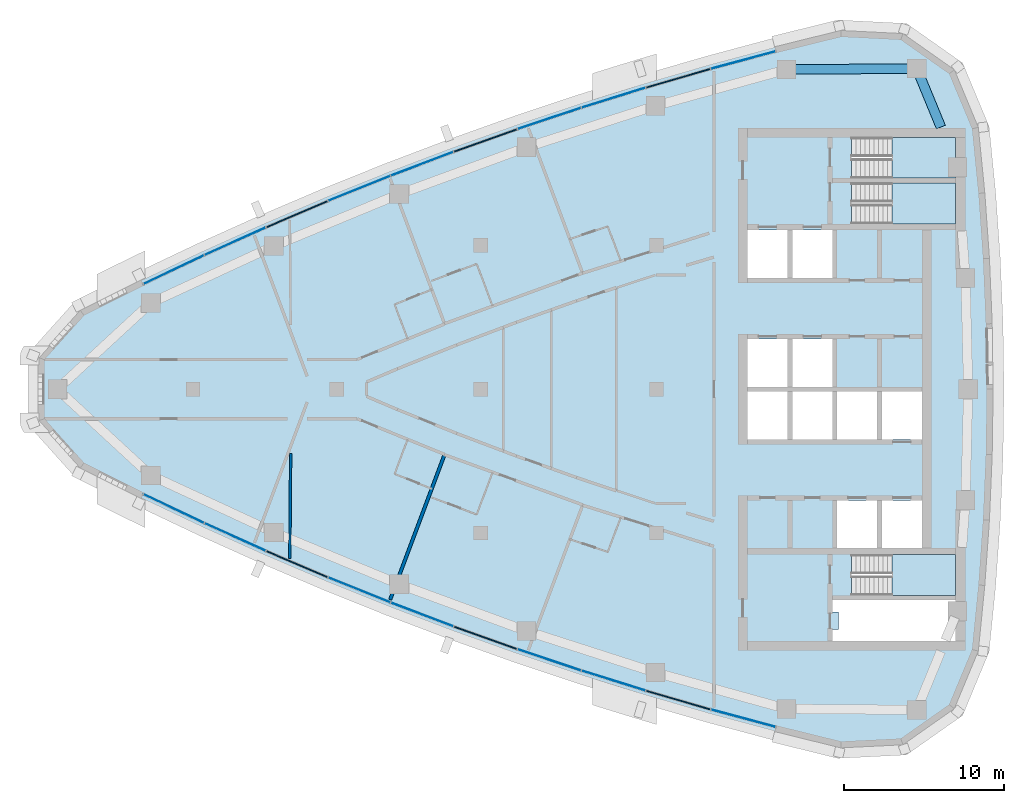
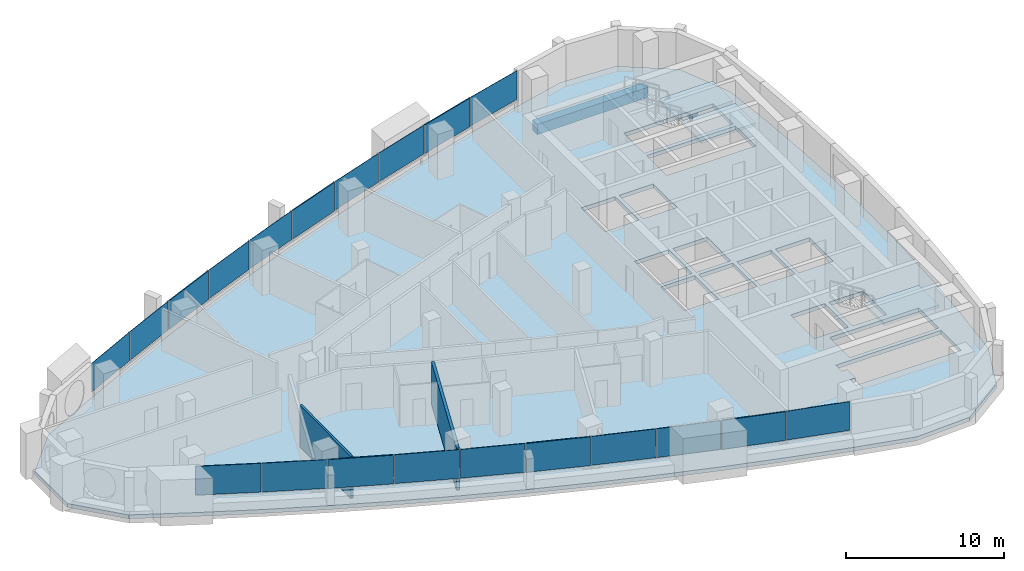
# One storey, part 7 of 15: 20 plates, 4 slabs, 2 beams, 2 walls, 1 opening, 13 elements without a shape of their own.
"""IFC4 building model written with IfcOpenShell, lengths in metres."""

from ifc_helpers import new_model, si_unit, direction, frame, frame_2d, origin, origin_2d, place, context, subcontext, project, spatial, polyline, rectangle, outline, extrude, material, layer, layer_set, material_profile, profile_set, type_object, element, aggregate, save


model = new_model("IFC4")

# Units and contexts
model_context = context("Model", 3, precision=1e-05, world=origin(), true_north=direction((0.0, 1.0)))
body_context = subcontext(model_context, "Body", "Model", "MODEL_VIEW")
ifc_project = project(units=[si_unit("LENGTHUNIT", "METRE"), si_unit("AREAUNIT", "SQUARE_METRE"), si_unit("VOLUMEUNIT", "CUBIC_METRE"), si_unit("PLANEANGLEUNIT", "RADIAN"), si_unit("MASSUNIT", "GRAM", prefix="KILO")], contexts=[model_context])

# Site, building, storey
site_placement = place(None, origin())
site = spatial("IfcSite", under=ifc_project, at=site_placement, CompositionType="ELEMENT")
building_placement = place(site_placement, origin())
building = spatial("IfcBuilding", under=site, at=building_placement, Name="Ostrand Prow Hotel Tower", CompositionType="ELEMENT")
storey_placement = place(building_placement, frame((0.0, 0.0, 238.550048828125)))
storey = spatial("IfcBuildingStorey", under=building, at=storey_placement, Name="L60", CompositionType="ELEMENT", Elevation=238.550048828125)

# Beams
ifc_material_1 = material(Name="Concrete C50/60", Category="concrete")
ifc_material_profile = material_profile(ifc_material_1, rectangle(XDim=0.60009765625, YDim=0.800048828125, at=origin_2d()), Name="RC 600x800")
ifc_profile_set = profile_set([ifc_material_profile], Name="Concrete C50/60")
beam_type = type_object("IfcBeamType", Name="Edge beam 600x800 C50/60", PredefinedType="SPANDREL", material=ifc_profile_set)
beam_1_placement = place(storey_placement, frame((62.7919921875, 16.39990234375, -0.699951171875), z_axis=(-0.380777709221, 0.924666608114, 0.0), x_axis=(-0.924666608114, -0.380777709221, 0.0)))
element("IfcBeam", 1, at=beam_1_placement, inside=storey, type_object=beam_type, Name="Edge beam B5-NE", PredefinedType="SPANDREL", context=body_context, shape_type="SweptSolid", body=[
    extrude(rectangle(XDim=0.60009765625, YDim=0.800048828125, at=origin_2d()), origin(), (0.0, 0.0, 1.0), 3.96044921875),
])
beam_2_placement = place(storey_placement, frame((61.283935546875, 20.06201171875, -0.699951171875), z_axis=(-0.999970657582, -0.007660546678, 0.0), x_axis=(0.007660546678, -0.999970657582, 0.0)))
element("IfcBeam", 2, at=beam_2_placement, inside=storey, type_object=beam_type, Name="Edge beam NE-N1", PredefinedType="SPANDREL", context=body_context, shape_type="SweptSolid", body=[
    extrude(rectangle(XDim=0.60009765625, YDim=0.800048828125, at=origin_2d()), origin(), (0.0, 0.0, 1.0), 8.15869140625),
])

# Curtain wall, plates
ifc_material_2 = material(Name="Insulated glass in bronze anodised frame", Category="glass")
ifc_layer_1 = layer(ifc_material_2, 0.199951171875)
ifc_layer_set_1 = layer_set([ifc_layer_1], Name="Insulated glass in bronze anodised frame")
curtain_wall_type = type_object("IfcCurtainWallType", Name="Strip curtain wall, fritted glass over bronze spandrel", PredefinedType="NOTDEFINED", material=ifc_layer_set_1)
curtain_wall_1_placement = place(storey_placement, origin())
curtain_wall_1 = element("IfcCurtainWall", 3, at=curtain_wall_1_placement, inside=storey, type_object=curtain_wall_type, Name="CW1 run CWS1", PredefinedType="NOTDEFINED")
ifc_material_3 = material(Name="Ceramic-fritted glass", Category="glass")
ifc_layer_2 = layer(ifc_material_3, 0.031982421875)
ifc_layer_set_2 = layer_set([ifc_layer_2], Name="Ceramic-fritted glass")
plate_type_1 = type_object("IfcPlateType", Name="Dot-fritted ceramic glass unit 32 mm", PredefinedType="CURTAIN_PANEL", material=ifc_layer_set_2)
plate_1_placement = place(storey_placement, frame((14.801025390625, -7.4765625, 1.02001953125), z_axis=(0.0, 0.0, 1.0), x_axis=(0.903370475577, -0.428861030937, 0.0)))
plate_1 = element("IfcPlate", 4, at=plate_1_placement, type_object=plate_type_1, Name="CW1 PN-D panel 1.2", PredefinedType="CURTAIN_PANEL", context=body_context, shape_type="SweptSolid", body=[
    extrude(rectangle(XDim=4.163818359375, YDim=0.031982421875, at=origin_2d()), origin(), (0.0, 0.0, 1.0), 2.22998046875),
])
plate_2_placement = place(storey_placement, frame((18.634521484375, -9.249267578125, 1.02001953125), z_axis=(0.0, 0.0, 1.0), x_axis=(0.911823681514, -0.41058199404, 0.0)))
plate_2 = element("IfcPlate", 5, at=plate_2_placement, type_object=plate_type_1, Name="CW1 PN-D panel 2.2", PredefinedType="CURTAIN_PANEL", context=body_context, shape_type="SweptSolid", body=[
    extrude(rectangle(XDim=4.163818359375, YDim=0.031982421875, at=origin_2d()), origin(), (0.0, 0.0, 1.0), 2.22998046875),
])
aggregate(curtain_wall_1, [plate_1, plate_2])

# Curtain wall, plate
curtain_wall_2_placement = place(storey_placement, origin())
curtain_wall_2 = element("IfcCurtainWall", 6, at=curtain_wall_2_placement, inside=storey, type_object=curtain_wall_type, Name="CW1 run CWS2", PredefinedType="NOTDEFINED")
plate_3_placement = place(storey_placement, frame((26.404541015625, -12.5615234375, 1.02001953125), z_axis=(0.0, 0.0, 1.0), x_axis=(0.927616710972, -0.373533449004, 0.0)))
plate_3 = element("IfcPlate", 7, at=plate_3_placement, type_object=plate_type_1, Name="CW1 PN-D panel 2.2", PredefinedType="CURTAIN_PANEL", context=body_context, shape_type="SweptSolid", body=[
    extrude(rectangle(XDim=4.163818359375, YDim=0.031982421875, at=origin_2d()), origin(), (0.0, 0.0, 1.0), 2.22998046875),
])

curtain_wall_3_placement = place(storey_placement, origin())
curtain_wall_3 = element("IfcCurtainWall", 8, at=curtain_wall_3_placement, inside=storey, type_object=curtain_wall_type, Name="CW1 run CWS3", PredefinedType="NOTDEFINED")
plate_4_placement = place(storey_placement, frame((30.337890625, -14.099609375, 1.02001953125), z_axis=(0.0, 0.0, 1.0), x_axis=(0.934950813567, -0.354777361469, 0.0)))
plate_4 = element("IfcPlate", 9, at=plate_4_placement, type_object=plate_type_1, Name="CW1 PN-D panel 1.2", PredefinedType="CURTAIN_PANEL", context=body_context, shape_type="SweptSolid", body=[
    extrude(rectangle(XDim=4.163818359375, YDim=0.031982421875, at=origin_2d()), origin(), (0.0, 0.0, 1.0), 2.22998046875),
])

# Curtain wall, plates
curtain_wall_4_placement = place(storey_placement, origin())
curtain_wall_4 = element("IfcCurtainWall", 10, at=curtain_wall_4_placement, inside=storey, type_object=curtain_wall_type, Name="CW1 run CWS4", PredefinedType="NOTDEFINED")
plate_5_placement = place(storey_placement, frame((38.2939453125, -16.9365234375, 1.02001953125), z_axis=(0.0, 0.0, 1.0), x_axis=(0.948478606268, -0.31684118017, 0.0)))
plate_5 = element("IfcPlate", 11, at=plate_5_placement, type_object=plate_type_1, Name="CW1 PN-D panel 1.2", PredefinedType="CURTAIN_PANEL", context=body_context, shape_type="SweptSolid", body=[
    extrude(rectangle(XDim=4.163818359375, YDim=0.031982421875, at=origin_2d()), origin(), (0.0, 0.0, 1.0), 2.22998046875),
])
plate_6_placement = place(storey_placement, frame((42.31298828125, -18.234375, 1.02001953125), z_axis=(0.0, 0.0, 1.0), x_axis=(0.95466629023, -0.297678138765, 0.0)))
plate_6 = element("IfcPlate", 12, at=plate_6_placement, type_object=plate_type_1, Name="CW1 PN-D panel 2.2", PredefinedType="CURTAIN_PANEL", context=body_context, shape_type="SweptSolid", body=[
    extrude(rectangle(XDim=4.163818359375, YDim=0.031982421875, at=origin_2d()), origin(), (0.0, 0.0, 1.0), 2.22998046875),
])
aggregate(curtain_wall_4, [plate_5, plate_6])

# Curtain wall, plate
curtain_wall_5_placement = place(storey_placement, origin())
curtain_wall_5 = element("IfcCurtainWall", 13, at=curtain_wall_5_placement, inside=storey, type_object=curtain_wall_type, Name="CW1 run CWS5", PredefinedType="NOTDEFINED")
plate_7_placement = place(storey_placement, frame((50.42578125, -20.5859375, 1.02001953125), z_axis=(0.0, 0.0, 1.0), x_axis=(0.965878831034, -0.258994370132, 0.0)))
plate_7 = element("IfcPlate", 14, at=plate_7_placement, type_object=plate_type_1, Name="CW1 PN-D panel 2.2", PredefinedType="CURTAIN_PANEL", context=body_context, shape_type="SweptSolid", body=[
    extrude(rectangle(XDim=4.163818359375, YDim=0.031982421875, at=origin_2d()), origin(), (0.0, 0.0, 1.0), 2.22998046875),
])

curtain_wall_6_placement = place(storey_placement, origin())
curtain_wall_6 = element("IfcCurtainWall", 15, at=curtain_wall_6_placement, inside=storey, type_object=curtain_wall_type, Name="CW1 run CWN1", PredefinedType="NOTDEFINED")
plate_8_placement = place(storey_placement, frame((50.42578125, 20.5859375, 1.02001953125), z_axis=(0.0, 0.0, 1.0), x_axis=(-0.965878831034, -0.258994370132, 0.0)))
plate_8 = element("IfcPlate", 16, at=plate_8_placement, type_object=plate_type_1, Name="CW1 PN-D panel 1.2", PredefinedType="CURTAIN_PANEL", context=body_context, shape_type="SweptSolid", body=[
    extrude(rectangle(XDim=4.163818359375, YDim=0.031982421875, at=origin_2d()), origin(), (0.0, 0.0, 1.0), 2.22998046875),
])

# Curtain wall, plates
curtain_wall_7_placement = place(storey_placement, origin())
curtain_wall_7 = element("IfcCurtainWall", 17, at=curtain_wall_7_placement, inside=storey, type_object=curtain_wall_type, Name="CW1 run CWN2", PredefinedType="NOTDEFINED")
plate_9_placement = place(storey_placement, frame((42.31298828125, 18.234375, 1.02001953125), z_axis=(0.0, 0.0, 1.0), x_axis=(-0.95466629023, -0.297678138765, 0.0)))
plate_9 = element("IfcPlate", 18, at=plate_9_placement, type_object=plate_type_1, Name="CW1 PN-D panel 1.2", PredefinedType="CURTAIN_PANEL", context=body_context, shape_type="SweptSolid", body=[
    extrude(rectangle(XDim=4.163818359375, YDim=0.031982421875, at=origin_2d()), origin(), (0.0, 0.0, 1.0), 2.22998046875),
])
plate_10_placement = place(storey_placement, frame((38.2939453125, 16.9365234375, 1.02001953125), z_axis=(0.0, 0.0, 1.0), x_axis=(-0.948478606268, -0.31684118017, 0.0)))
plate_10 = element("IfcPlate", 19, at=plate_10_placement, type_object=plate_type_1, Name="CW1 PN-D panel 2.2", PredefinedType="CURTAIN_PANEL", context=body_context, shape_type="SweptSolid", body=[
    extrude(rectangle(XDim=4.163818359375, YDim=0.031982421875, at=origin_2d()), origin(), (0.0, 0.0, 1.0), 2.22998046875),
])
aggregate(curtain_wall_7, [plate_9, plate_10])

# Curtain wall, plate
curtain_wall_8_placement = place(storey_placement, origin())
curtain_wall_8 = element("IfcCurtainWall", 20, at=curtain_wall_8_placement, inside=storey, type_object=curtain_wall_type, Name="CW1 run CWN3", PredefinedType="NOTDEFINED")
plate_11_placement = place(storey_placement, frame((30.337890625, 14.099609375, 1.02001953125), z_axis=(0.0, 0.0, 1.0), x_axis=(-0.934950813567, -0.354777361469, 0.0)))
plate_11 = element("IfcPlate", 21, at=plate_11_placement, type_object=plate_type_1, Name="CW1 PN-D panel 2.2", PredefinedType="CURTAIN_PANEL", context=body_context, shape_type="SweptSolid", body=[
    extrude(rectangle(XDim=4.163818359375, YDim=0.031982421875, at=origin_2d()), origin(), (0.0, 0.0, 1.0), 2.22998046875),
])

curtain_wall_9_placement = place(storey_placement, origin())
curtain_wall_9 = element("IfcCurtainWall", 22, at=curtain_wall_9_placement, inside=storey, type_object=curtain_wall_type, Name="CW1 run CWN4", PredefinedType="NOTDEFINED")
plate_12_placement = place(storey_placement, frame((26.404541015625, 12.5615234375, 1.02001953125), z_axis=(0.0, 0.0, 1.0), x_axis=(-0.927616710972, -0.373533449004, 0.0)))
plate_12 = element("IfcPlate", 23, at=plate_12_placement, type_object=plate_type_1, Name="CW1 PN-D panel 1.2", PredefinedType="CURTAIN_PANEL", context=body_context, shape_type="SweptSolid", body=[
    extrude(rectangle(XDim=4.163818359375, YDim=0.031982421875, at=origin_2d()), origin(), (0.0, 0.0, 1.0), 2.22998046875),
])

# Curtain wall, plates
curtain_wall_10_placement = place(storey_placement, origin())
curtain_wall_10 = element("IfcCurtainWall", 24, at=curtain_wall_10_placement, inside=storey, type_object=curtain_wall_type, Name="CW1 run CWN5", PredefinedType="NOTDEFINED")
plate_13_placement = place(storey_placement, frame((18.634521484375, 9.249267578125, 1.02001953125), z_axis=(0.0, 0.0, 1.0), x_axis=(-0.911823681514, -0.41058199404, 0.0)))
plate_13 = element("IfcPlate", 25, at=plate_13_placement, type_object=plate_type_1, Name="CW1 PN-D panel 1.2", PredefinedType="CURTAIN_PANEL", context=body_context, shape_type="SweptSolid", body=[
    extrude(rectangle(XDim=4.163818359375, YDim=0.031982421875, at=origin_2d()), origin(), (0.0, 0.0, 1.0), 2.22998046875),
])
plate_14_placement = place(storey_placement, frame((14.801025390625, 7.4765625, 1.02001953125), z_axis=(0.0, 0.0, 1.0), x_axis=(-0.903370475577, -0.428861030937, 0.0)))
plate_14 = element("IfcPlate", 26, at=plate_14_placement, type_object=plate_type_1, Name="CW1 PN-D panel 2.2", PredefinedType="CURTAIN_PANEL", context=body_context, shape_type="SweptSolid", body=[
    extrude(rectangle(XDim=4.163818359375, YDim=0.031982421875, at=origin_2d()), origin(), (0.0, 0.0, 1.0), 2.22998046875),
])
aggregate(curtain_wall_10, [plate_13, plate_14])

# Plate
ifc_material_4 = material(Name="Fritted glass in bronze vent frame", Category="glass")
ifc_layer_3 = layer(ifc_material_4, 0.080078125)
ifc_layer_set_3 = layer_set([ifc_layer_3], Name="Fritted glass in bronze vent frame")
plate_type_2 = type_object("IfcPlateType", Name="Operable vent panel 80 mm", PredefinedType="CURTAIN_PANEL", material=ifc_layer_set_3)
plate_15_placement = place(storey_placement, frame((22.502685546875, -10.944580078125, 1.02001953125), z_axis=(0.0, 0.0, 1.0), x_axis=(0.919907070112, -0.392136433347, 0.0)))
plate_15 = element("IfcPlate", 27, at=plate_15_placement, type_object=plate_type_2, Name="CW1 PN-O2 panel 1.2", PredefinedType="CURTAIN_PANEL", context=body_context, shape_type="SweptSolid", body=[
    extrude(rectangle(XDim=4.163818359375, YDim=0.080078125, at=origin_2d()), origin(), (0.0, 0.0, 1.0), 2.22998046875),
])

aggregate(curtain_wall_2, [plate_15, plate_3])

plate_16_placement = place(storey_placement, frame((34.3017578125, -15.55810546875, 1.02001953125), z_axis=(0.0, 0.0, 1.0), x_axis=(0.941905718922, -0.335877383374, 0.0)))
plate_16 = element("IfcPlate", 28, at=plate_16_placement, type_object=plate_type_2, Name="CW1 PN-O2 panel 2.2", PredefinedType="CURTAIN_PANEL", context=body_context, shape_type="SweptSolid", body=[
    extrude(rectangle(XDim=4.163818359375, YDim=0.080078125, at=origin_2d()), origin(), (0.0, 0.0, 1.0), 2.22998046875),
])

aggregate(curtain_wall_3, [plate_4, plate_16])

plate_17_placement = place(storey_placement, frame((46.357666015625, -19.450927734375, 1.02001953125), z_axis=(0.0, 0.0, 1.0), x_axis=(0.960467333745, -0.27839270969, 0.0)))
plate_17 = element("IfcPlate", 29, at=plate_17_placement, type_object=plate_type_2, Name="CW1 PN-O2 panel 1.2", PredefinedType="CURTAIN_PANEL", context=body_context, shape_type="SweptSolid", body=[
    extrude(rectangle(XDim=4.163818359375, YDim=0.080078125, at=origin_2d()), origin(), (0.0, 0.0, 1.0), 2.22998046875),
])

aggregate(curtain_wall_5, [plate_17, plate_7])

plate_18_placement = place(storey_placement, frame((46.357666015625, 19.450927734375, 1.02001953125), z_axis=(0.0, 0.0, 1.0), x_axis=(-0.960467333745, -0.27839270969, 0.0)))
plate_18 = element("IfcPlate", 30, at=plate_18_placement, type_object=plate_type_2, Name="CW1 PN-O2 panel 2.2", PredefinedType="CURTAIN_PANEL", context=body_context, shape_type="SweptSolid", body=[
    extrude(rectangle(XDim=4.163818359375, YDim=0.080078125, at=origin_2d()), origin(), (0.0, 0.0, 1.0), 2.22998046875),
])

aggregate(curtain_wall_6, [plate_8, plate_18])

plate_19_placement = place(storey_placement, frame((34.3017578125, 15.55810546875, 1.02001953125), z_axis=(0.0, 0.0, 1.0), x_axis=(-0.941905718922, -0.335877383374, 0.0)))
plate_19 = element("IfcPlate", 31, at=plate_19_placement, type_object=plate_type_2, Name="CW1 PN-O2 panel 1.2", PredefinedType="CURTAIN_PANEL", context=body_context, shape_type="SweptSolid", body=[
    extrude(rectangle(XDim=4.163818359375, YDim=0.080078125, at=origin_2d()), origin(), (0.0, 0.0, 1.0), 2.22998046875),
])

aggregate(curtain_wall_8, [plate_19, plate_11])

plate_20_placement = place(storey_placement, frame((22.502685546875, 10.944580078125, 1.02001953125), z_axis=(0.0, 0.0, 1.0), x_axis=(-0.919907070112, -0.392136433347, 0.0)))
plate_20 = element("IfcPlate", 32, at=plate_20_placement, type_object=plate_type_2, Name="CW1 PN-O2 panel 2.2", PredefinedType="CURTAIN_PANEL", context=body_context, shape_type="SweptSolid", body=[
    extrude(rectangle(XDim=4.163818359375, YDim=0.080078125, at=origin_2d()), origin(), (0.0, 0.0, 1.0), 2.22998046875),
])

aggregate(curtain_wall_9, [plate_12, plate_20])

# Slab, opening
ifc_material_5 = material(Name="Concrete C40/50", Category="concrete")
ifc_layer_4 = layer(ifc_material_5, 0.300048828125)
ifc_layer_set_4 = layer_set([ifc_layer_4], Name="Concrete C40/50")
slab_type_1 = type_object("IfcSlabType", Name="PT flat plate 300 C40/50", PredefinedType="FLOOR", material=ifc_layer_set_4)
slab_1_placement = place(storey_placement, frame((0.0, 0.0, -0.300048828125)))
slab_1 = element("IfcSlab", 33, at=slab_1_placement, inside=storey, type_object=slab_type_1, Name="Floor slab L60-1", PredefinedType="FLOOR", context=body_context, shape_type="SweptSolid", body=[
    extrude(outline(polyline([(8.85205078125, 5.097412109375), (12.679443359375, 7.009765625), (16.50390625, 8.825439453125), (20.364013671875, 10.563720703125), (24.258544921875, 12.223876953125), (28.185791015625, 13.80517578125), (32.143798828125, 15.30712890625), (36.131591796875, 16.72900390625), (40.14697265625, 18.0703125), (44.188720703125, 19.330810546875), (48.2548828125, 20.50927734375), (52.343994140625, 21.605712890625), (56.4873046875, 22.627685546875), (60.48193359375, 22.4287109375), (63.7822265625, 20.107177734375), (65.320068359375, 16.414794921875), (65.728515625, 12.29736328125), (66.018310546875, 8.20361328125), (66.19189453125, 4.103515625), (66.25, 0.0), (66.19189453125, -4.103515625), (66.018310546875, -8.20361328125), (65.728515625, -12.29736328125), (65.320068359375, -16.414794921875), (63.7822265625, -20.107177734375), (60.48193359375, -22.4287109375), (56.4873046875, -22.627685546875), (52.343994140625, -21.605712890625), (48.2548828125, -20.50927734375), (44.188720703125, -19.330810546875), (40.14697265625, -18.0703125), (36.131591796875, -16.72900390625), (32.143798828125, -15.30712890625), (28.185791015625, -13.80517578125), (24.258544921875, -12.223876953125), (20.364013671875, -10.563720703125), (16.50390625, -8.825439453125), (12.679443359375, -7.009765625), (8.85205078125, -5.097412109375), (6.127685546875, -2.06298828125), (6.127685546875, 2.06298828125), (8.85205078125, 5.097412109375)]), holes=[polyline([(50.699951171875, 6.949951171875), (53.199951171875, 6.949951171875), (53.199951171875, 9.949951171875), (50.699951171875, 9.949951171875), (50.699951171875, 6.949951171875)]), polyline([(53.5, 6.949951171875), (56.0, 6.949951171875), (56.0, 9.949951171875), (53.5, 9.949951171875), (53.5, 6.949951171875)]), polyline([(50.699951171875, 0.14990234375), (53.199951171875, 0.14990234375), (53.199951171875, 3.14990234375), (50.699951171875, 3.14990234375), (50.699951171875, 0.14990234375)]), polyline([(53.5, 0.14990234375), (56.0, 0.14990234375), (56.0, 3.14990234375), (53.5, 3.14990234375), (53.5, 0.14990234375)]), polyline([(50.699951171875, -3.14990234375), (53.199951171875, -3.14990234375), (53.199951171875, -0.14990234375), (50.699951171875, -0.14990234375), (50.699951171875, -3.14990234375)]), polyline([(53.5, -3.14990234375), (56.0, -3.14990234375), (56.0, -0.14990234375), (53.5, -0.14990234375), (53.5, -3.14990234375)]), polyline([(56.300048828125, -3.14990234375), (58.800048828125, -3.14990234375), (58.800048828125, -0.14990234375), (56.300048828125, -0.14990234375), (56.300048828125, -3.14990234375)]), polyline([(59.10009765625, -3.14990234375), (61.60009765625, -3.14990234375), (61.60009765625, -0.14990234375), (59.10009765625, -0.14990234375), (59.10009765625, -3.14990234375)]), polyline([(56.300048828125, -9.949951171875), (58.800048828125, -9.949951171875), (58.800048828125, -6.949951171875), (56.300048828125, -6.949951171875), (56.300048828125, -9.949951171875)]), polyline([(59.10009765625, -9.949951171875), (61.60009765625, -9.949951171875), (61.60009765625, -6.949951171875), (59.10009765625, -6.949951171875), (59.10009765625, -9.949951171875)]), polyline([(57.200927734375, 10.35107421875), (57.200927734375, 12.89892578125), (63.718994140625, 12.89892578125), (63.718994140625, 10.35107421875), (57.200927734375, 10.35107421875)]), polyline([(57.200927734375, 13.200927734375), (57.200927734375, 15.7490234375), (63.718994140625, 15.7490234375), (63.718994140625, 13.200927734375), (57.200927734375, 13.200927734375)]), polyline([(57.200927734375, -12.89892578125), (57.200927734375, -10.35107421875), (63.718994140625, -10.35107421875), (63.718994140625, -12.89892578125), (57.200927734375, -12.89892578125)]), polyline([(56.0, -13.949951171875), (56.0, -13.199951171875), (63.719970703125, -13.199951171875), (63.719970703125, -15.75), (56.0, -15.75), (56.0, -15.050048828125), (56.39990234375, -15.050048828125), (56.39990234375, -13.949951171875), (56.0, -13.949951171875)])]), origin(), (0.0, 0.0, 1.0), 0.300048828125),
])
opening_placement = place(slab_1_placement, origin())
element("IfcOpeningElement", 34, at=opening_placement, cuts=slab_1, Name="Shaft opening 1", PredefinedType="OPENING", context=body_context, shape_type="SweptSolid", body=[
    extrude(outline(polyline([(56.0, -13.949951171875), (56.0, -13.199951171875), (63.719970703125, -13.199951171875), (63.719970703125, -15.75), (56.0, -15.75), (56.0, -15.050048828125), (56.39990234375, -15.050048828125), (56.39990234375, -13.949951171875), (56.0, -13.949951171875)])), origin(), (0.0, 0.0, 1.0), 0.300048828125),
])

# Stair, slab
ifc_material_6 = material(Name="Concrete C40/50", Category="concrete")
stair_type = type_object("IfcStairType", Name="Exit stair 1200 upper zone", PredefinedType="HALF_TURN_STAIR", material=ifc_material_6)
stair_1_placement = place(storey_placement, origin())
stair_1 = element("IfcStair", 35, at=stair_1_placement, inside=storey, type_object=stair_type, Name="L60 ST1C", PredefinedType="HALF_TURN_STAIR")
ifc_material_7 = material(Name="Concrete C40/50", Category="concrete")
ifc_layer_5 = layer(ifc_material_7, 0.199951171875)
ifc_layer_set_5 = layer_set([ifc_layer_5], Name="Concrete C40/50")
slab_type_2 = type_object("IfcSlabType", Name="Stair landing 200 concrete", PredefinedType="LANDING", material=ifc_layer_set_5)
slab_2_placement = place(storey_placement, frame((0.0, 0.0, 1.574951171875)))
slab_2 = element("IfcSlab", 36, at=slab_2_placement, type_object=slab_type_2, Name="ST1C landing 1", PredefinedType="LANDING", context=body_context, shape_type="SweptSolid", body=[
    extrude(outline(polyline([(59.719970703125, 10.35009765625), (63.719970703125, 10.35009765625), (63.719970703125, 12.89990234375), (59.719970703125, 12.89990234375), (59.719970703125, 10.35009765625)])), origin(), (0.0, 0.0, 1.0), 0.199951171875),
])
aggregate(stair_1, [slab_2])

stair_2_placement = place(storey_placement, origin())
stair_2 = element("IfcStair", 37, at=stair_2_placement, inside=storey, type_object=stair_type, Name="L60 ST3C", PredefinedType="HALF_TURN_STAIR")
slab_3_placement = place(storey_placement, frame((0.0, 0.0, 1.574951171875)))
slab_3 = element("IfcSlab", 38, at=slab_3_placement, type_object=slab_type_2, Name="ST3C landing 1", PredefinedType="LANDING", context=body_context, shape_type="SweptSolid", body=[
    extrude(outline(polyline([(59.719970703125, 13.199951171875), (63.719970703125, 13.199951171875), (63.719970703125, 15.75), (59.719970703125, 15.75), (59.719970703125, 13.199951171875)])), origin(), (0.0, 0.0, 1.0), 0.199951171875),
])
aggregate(stair_2, [slab_3])

stair_3_placement = place(storey_placement, origin())
stair_3 = element("IfcStair", 39, at=stair_3_placement, inside=storey, type_object=stair_type, Name="L60 ST2C", PredefinedType="HALF_TURN_STAIR")
slab_4_placement = place(storey_placement, frame((0.0, 0.0, 1.574951171875)))
slab_4 = element("IfcSlab", 40, at=slab_4_placement, type_object=slab_type_2, Name="ST2C landing 1", PredefinedType="LANDING", context=body_context, shape_type="SweptSolid", body=[
    extrude(outline(polyline([(59.719970703125, -12.89990234375), (63.719970703125, -12.89990234375), (63.719970703125, -10.35009765625), (59.719970703125, -10.35009765625), (59.719970703125, -12.89990234375)])), origin(), (0.0, 0.0, 1.0), 0.199951171875),
])
aggregate(stair_3, [slab_4])

# Walls
ifc_material_8 = material(Name="Plasterboard partition")
ifc_layer_6 = layer(ifc_material_8, 0.14990234375)
ifc_layer_set_6 = layer_set([ifc_layer_6], Name="Plasterboard partition")
wall_type_1 = type_object("IfcWallType", Name="Partition 150 room partition", PredefinedType="PARTITIONING", material=ifc_layer_set_6)
wall_1_placement = place(storey_placement, frame((22.1123046875, -4.022705078125, 0.0), z_axis=(0.0, 0.0, 1.0), x_axis=(-0.008379594055, -0.999964890585, 0.0)))
element("IfcWall", 41, at=wall_1_placement, inside=storey, type_object=wall_type_1, Name="ROOM PARTITION", PredefinedType="PARTITIONING", context=body_context, shape_type="SweptSolid", body=[
    extrude(rectangle(XDim=6.555419921875, YDim=0.14990234375, at=frame_2d((3.27783203125, 0.0))), origin(), (0.0, 0.0, 1.0), 3.25),
])
ifc_material_9 = material(Name="Plasterboard partition")
ifc_layer_7 = layer(ifc_material_9, 0.199951171875)
ifc_layer_set_7 = layer_set([ifc_layer_7], Name="Plasterboard partition")
wall_type_2 = type_object("IfcWallType", Name="Partition 200 key partition", PredefinedType="PARTITIONING", material=ifc_layer_set_7)
wall_2_placement = place(storey_placement, frame((28.33837890625, -13.166015625, 0.0), z_axis=(0.0, 0.0, 1.0), x_axis=(0.351126198992, 0.936328143538, 0.0)))
element("IfcWall", 42, at=wall_2_placement, inside=storey, type_object=wall_type_2, Name="KEY PARTITION", PredefinedType="PARTITIONING", context=body_context, shape_type="SweptSolid", body=[
    extrude(rectangle(XDim=9.703125, YDim=0.199951171875, at=frame_2d((4.8515625, 0.0))), origin(), (0.0, 0.0, 1.0), 3.25),
])

save(model, "model.ifc")
